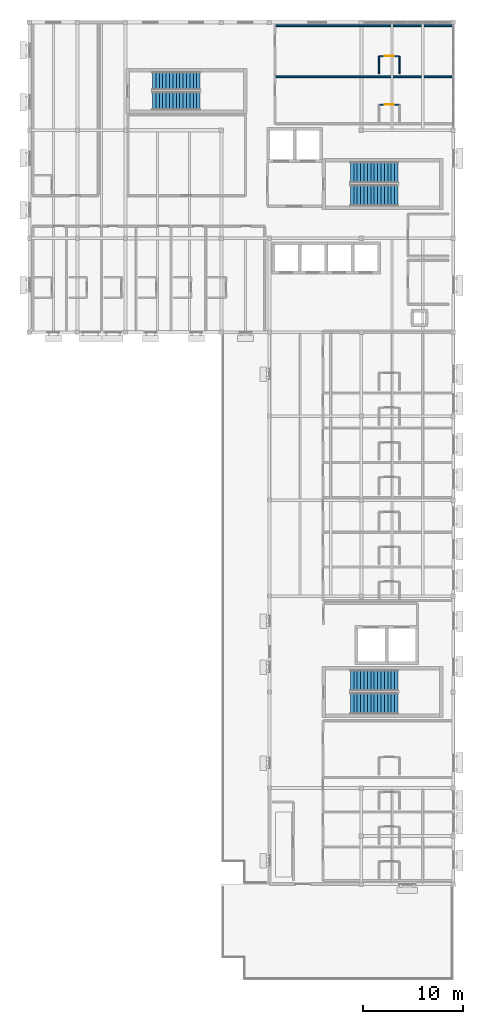
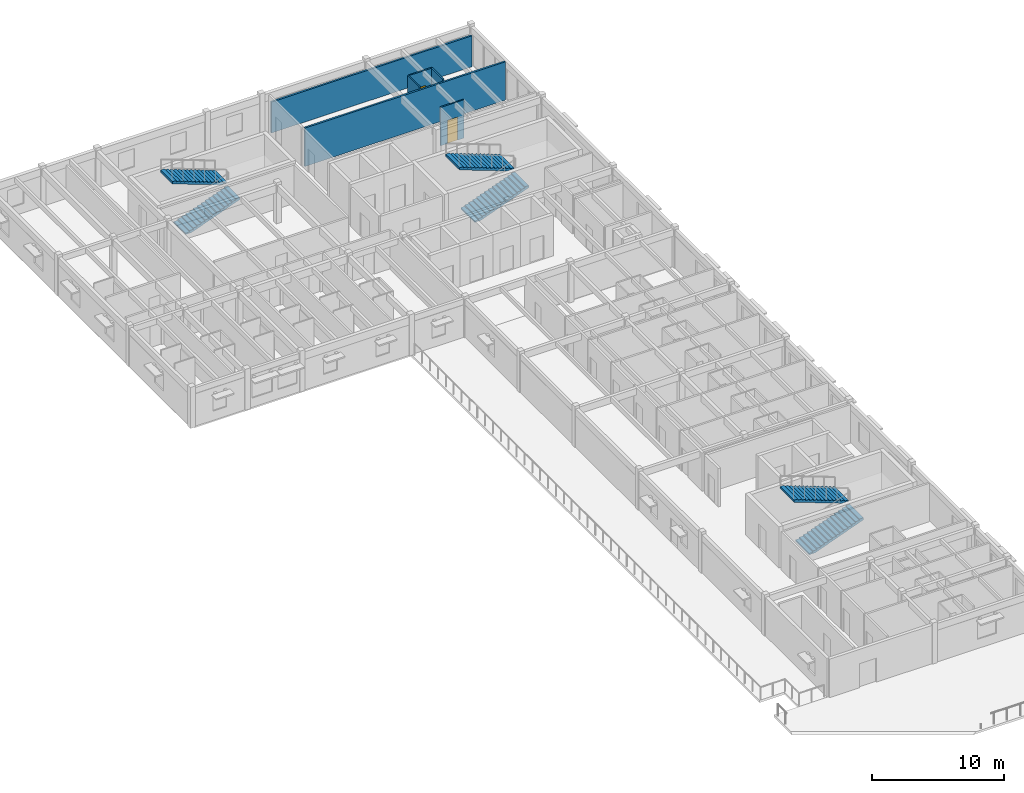
# One storey, part 11 of 18: 6 stair flights, 6 walls, 2 doors, 2 openings, 3 elements without a shape of their own.
"""IFC4 building model written with IfcOpenShell, lengths in metres."""

import ifcopenshell
import ifcopenshell.guid

model = None  # the IFC model being written
_history = None  # IfcOwnerHistory: only IFC2X3 demands one
_inside = {}  # id of a spatial element -> (the spatial element, [elements in it])
_under = {}  # id of a project, library or spatial element -> (it, [spatial elements below it])
_declared = {}  # id of a project -> (the project, [libraries it declares])
_typed = {}  # id of a type object -> (the type object, [elements of that type])
_made_of = {}  # id of a material, layer set ... -> (it, [elements and type objects made of it])


def new_model(schema):
    """Start an empty IFC model of exactly this schema.

    Asked for "IFC4X3", IfcOpenShell would pick the latest addendum, in which some entities
    have other attributes; the version numbers below select the first issue.
    IFC2X3 requires an IfcOwnerHistory on every rooted entity: one is made here for all.
    """
    global model, _history
    if schema == "IFC4X3":
        model = ifcopenshell.file(schema_version=(4, 3, 0, 0))
    else:
        model = ifcopenshell.file(schema=schema)
    _inside.clear()
    _under.clear()
    _declared.clear()
    _typed.clear()
    _made_of.clear()
    _history = None
    if model.schema == "IFC2X3":
        org = make("IfcOrganization", Name="unknown")
        user = make(
            "IfcPersonAndOrganization",
            ThePerson=make("IfcPerson", FamilyName="unknown"),
            TheOrganization=org,
        )
        app = make(
            "IfcApplication",
            ApplicationDeveloper=org,
            Version="unknown",
            ApplicationFullName="unknown",
            ApplicationIdentifier="unknown",
        )
        _history = make(
            "IfcOwnerHistory",
            OwningUser=user,
            OwningApplication=app,
            ChangeAction="ADDED",
            CreationDate=0,
        )
    return model


def make(cls, **values):
    """One entity of the class cls with the attributes given. An attribute that is None is left unset."""
    return model.create_entity(
        cls, **{name: value for name, value in values.items() if value is not None}
    )


def rooted(cls, **values):
    """An entity with a GlobalId (a new one), such as an element, a storey or a relation."""
    return make(cls, GlobalId=ifcopenshell.guid.new(), OwnerHistory=_history, **values)


def si_unit(unit_type, name, prefix=None):
    """IfcSIUnit, for example si_unit("LENGTHUNIT", "METRE", prefix="MILLI")."""
    return make("IfcSIUnit", UnitType=unit_type, Prefix=prefix, Name=name)


def assignment(units):
    """IfcUnitAssignment: the units of a project."""
    return None if units is None else make("IfcUnitAssignment", Units=units)


def point(xyz):
    """IfcCartesianPoint."""
    return None if xyz is None else make("IfcCartesianPoint", Coordinates=xyz)


def direction(xyz):
    """IfcDirection."""
    return None if xyz is None else make("IfcDirection", DirectionRatios=xyz)


def frame(location, z_axis=None, x_axis=None):
    """IfcAxis2Placement3D, a coordinate frame: its origin and axes. An axis left out is left unset."""
    return make(
        "IfcAxis2Placement3D",
        Location=point(location),
        Axis=direction(z_axis),
        RefDirection=direction(x_axis),
    )


def frame_2d(location, x_axis=None):
    """IfcAxis2Placement2D, a coordinate frame in the plane: its origin and x axis."""
    return make(
        "IfcAxis2Placement2D", Location=point(location), RefDirection=direction(x_axis)
    )


def origin():
    """The frame at (0, 0, 0) with its axes left unset."""
    return frame((0.0, 0.0, 0.0))


def place(relative_to, where):
    """IfcLocalPlacement: puts the frame where relative to a parent placement (None: the world)."""
    return make(
        "IfcLocalPlacement", PlacementRelTo=relative_to, RelativePlacement=where
    )


def context(
    kind, dimensions, precision=None, world=None, true_north=None, identifier=None
):
    """IfcGeometricRepresentationContext, for example the 3D "Model" context."""
    return make(
        "IfcGeometricRepresentationContext",
        ContextIdentifier=identifier,
        ContextType=kind,
        CoordinateSpaceDimension=dimensions,
        Precision=precision,
        WorldCoordinateSystem=world,
        TrueNorth=true_north,
    )


def subcontext(parent, identifier, kind, view, scale=None):
    """IfcGeometricRepresentationSubContext, for example "Body" below "Model"."""
    return make(
        "IfcGeometricRepresentationSubContext",
        ContextIdentifier=identifier,
        ContextType=kind,
        ParentContext=parent,
        TargetScale=scale,
        TargetView=view,
    )


def project(units=None, contexts=None):
    """IfcProject with its units and contexts."""
    return rooted(
        "IfcProject",
        Name="project",
        RepresentationContexts=contexts,
        UnitsInContext=assignment(units),
    )


def spatial(cls, under=None, at=None, **own):
    """A site, building, storey or space (cls), placed at a placement, below another one or the project."""
    s = rooted(cls, ObjectPlacement=at, **own)
    if under is not None:
        _under.setdefault(under.id(), (under, []))[1].append(s)
    return s


def polyline(points):
    """IfcPolyline through the points."""
    return make("IfcPolyline", Points=[point(p) for p in points])


def profile(cls, at=None, kind="AREA", **sizes):
    """A parametric profile (cls). Its sizes go by their IFC names, for example OverallWidth=200.0."""
    return make(cls, ProfileType=kind, Position=at, **sizes)


def rectangle(**sizes):
    """IfcRectangleProfileDef."""
    return profile("IfcRectangleProfileDef", **sizes)


def outline(outer, holes=None, kind="AREA"):
    """IfcArbitraryClosedProfileDef: a profile drawn as a closed curve; with holes, ...WithVoids."""
    if holes is None:
        return make("IfcArbitraryClosedProfileDef", ProfileType=kind, OuterCurve=outer)
    return make(
        "IfcArbitraryProfileDefWithVoids",
        ProfileType=kind,
        OuterCurve=outer,
        InnerCurves=holes,
    )


def extrude(swept, where, along, depth):
    """IfcExtrudedAreaSolid: the profile swept, set in the frame where, extruded along a direction by depth."""
    return make(
        "IfcExtrudedAreaSolid",
        SweptArea=swept,
        Position=where,
        ExtrudedDirection=direction(along),
        Depth=depth,
    )


def shape(context_of_items, identifier, shape_type, items):
    """IfcShapeRepresentation: the items that make up one representation, for example the "Body"."""
    return make(
        "IfcShapeRepresentation",
        ContextOfItems=context_of_items,
        RepresentationIdentifier=identifier,
        RepresentationType=shape_type,
        Items=items,
    )


def material(Name=None, Category=None):
    """IfcMaterial."""
    return make("IfcMaterial", Name=Name, Category=Category)


def layer(
    of_material, thickness, ventilated=None, Name=None, Category=None, Priority=None
):
    """IfcMaterialLayer: one layer of a wall or slab, of a material (None: an air gap)."""
    return make(
        "IfcMaterialLayer",
        Material=of_material,
        LayerThickness=thickness,
        IsVentilated=ventilated,
        Name=Name,
        Category=Category,
        Priority=Priority,
    )


def layer_set(layers, Name=None):
    """IfcMaterialLayerSet."""
    return make("IfcMaterialLayerSet", MaterialLayers=layers, LayerSetName=Name)


def made_of(thing, what):
    """Note that an element or type object is made of a material, layer set ...; save() writes the relation."""
    if what is not None:
        _made_of.setdefault(what.id(), (what, []))[1].append(thing)
    return thing


def type_object(cls, material=None, **own):
    """A type object (cls), such as IfcWallType, which elements share."""
    return made_of(rooted(cls, **own), material)


def element(
    cls,
    number,
    at=None,
    inside=None,
    cuts=None,
    type_object=None,
    material=None,
    context=None,
    identifier="Body",
    shape_type=None,
    held_by="IfcProductDefinitionShape",
    body=None,
    shapes=None,
    **own,
):
    """One element of the class cls, such as IfcWall. Its Tag is "e" and its number.

    at: its placement. inside: the storey or other place that contains it. cuts: it is an
    opening in that element (IfcRelVoidsElement). A single representation is given by context,
    identifier, shape_type and body (its items); several are given by shapes. held_by: the class
    of the entity that holds the representations. save() writes the other relations.
    """
    e = rooted(cls, Tag="e%d" % number, ObjectPlacement=at, **own)
    if body is not None:
        shapes = [shape(context, identifier, shape_type, body)]
    if shapes is not None:
        e.Representation = make(held_by, Representations=shapes)
    if inside is not None:
        _inside.setdefault(inside.id(), (inside, []))[1].append(e)
    if cuts is not None:
        rooted(
            "IfcRelVoidsElement", RelatingBuildingElement=cuts, RelatedOpeningElement=e
        )
    if type_object is not None:
        _typed.setdefault(type_object.id(), (type_object, []))[1].append(e)
    return made_of(e, material)


def fill(opening, filler):
    """IfcRelFillsElement: the door or window that sits in an opening."""
    return rooted(
        "IfcRelFillsElement",
        RelatingOpeningElement=opening,
        RelatedBuildingElement=filler,
    )


def aggregate(whole, parts):
    """IfcRelAggregates: a whole, such as a stair, and the parts it consists of."""
    return rooted("IfcRelAggregates", RelatingObject=whole, RelatedObjects=parts)


def save(model, path):
    """Write the relations noted so far, then the file.

    IfcRelAggregates (storeys below a building ...), IfcRelContainedInSpatialStructure (elements
    in a storey), IfcRelDefinesByType, IfcRelAssociatesMaterial and IfcRelDeclares: one each for
    every whole, place, type object, material and project.
    """
    for whole, parts in _under.values():
        aggregate(whole, parts)
    for where, things in _inside.values():
        rooted(
            "IfcRelContainedInSpatialStructure",
            RelatedElements=things,
            RelatingStructure=where,
        )
    for kind, things in _typed.values():
        rooted("IfcRelDefinesByType", RelatedObjects=things, RelatingType=kind)
    for what, things in _made_of.values():
        rooted("IfcRelAssociatesMaterial", RelatedObjects=things, RelatingMaterial=what)
    for by, libraries in _declared.values():
        rooted("IfcRelDeclares", RelatingContext=by, RelatedDefinitions=libraries)
    model.write(path)


model = new_model("IFC4")

# Units and contexts
model_context = context("Model", 3, precision=1e-05, world=origin(), true_north=direction((0.0, 1.0)))
body_context = subcontext(model_context, "Body", "Model", "MODEL_VIEW")
ifc_project = project(units=[si_unit("LENGTHUNIT", "METRE"), si_unit("AREAUNIT", "SQUARE_METRE"), si_unit("VOLUMEUNIT", "CUBIC_METRE"), si_unit("PLANEANGLEUNIT", "RADIAN"), si_unit("MASSUNIT", "GRAM", prefix="KILO")], contexts=[model_context])

# Site, building, storey
site_placement = place(None, origin())
site = spatial("IfcSite", under=ifc_project, at=site_placement, CompositionType="ELEMENT")
building_placement = place(site_placement, origin())
building = spatial("IfcBuilding", under=site, at=building_placement, Name="Veldera Park Congress Hotel", CompositionType="ELEMENT")
storey_placement = place(building_placement, frame((0.0, 0.0, 31.39990234375)))
storey = spatial("IfcBuildingStorey", under=building, at=storey_placement, Name="L07", CompositionType="ELEMENT", Elevation=31.39990234375)

# Wall, opening, door
ifc_material_1 = material(Name="Fire-Rated Gypsum Board on Cold-Formed Steel Studs", Category="steel")
ifc_layer_1 = layer(ifc_material_1, 0.1201171875)
ifc_layer_set_1 = layer_set([ifc_layer_1], Name="Fire-Rated Gypsum Board on Cold-Formed Steel Studs")
wall_type_1 = type_object("IfcWallType", Name="IW-BATH120", PredefinedType="PARTITIONING", material=ifc_layer_set_1)
wall_1_placement = place(storey_placement, frame((76.550048828125, 49.75, 0.0), z_axis=(0.0, 0.0, 1.0), x_axis=(1.0, 0.0, 0.0)))
wall_1 = element("IfcWall", 1, at=wall_1_placement, inside=storey, type_object=wall_type_1, Name="L07 Partition Wall IW3-L07-01467", PredefinedType="PARTITIONING", context=body_context, shape_type="SweptSolid", body=[
    extrude(rectangle(XDim=2.050048828125, YDim=0.1201171875, at=frame_2d((1.02490234375, 0.0))), origin(), (0.0, 0.0, 1.0), 3.55517578125),
])
opening_1_placement = place(wall_1_placement, frame((0.574951171875, 0.0, 0.0)))
opening_1 = element("IfcOpeningElement", 2, at=opening_1_placement, cuts=wall_1, Name="Opening ID-BATH090", PredefinedType="OPENING", context=body_context, shape_type="SweptSolid", body=[
    extrude(rectangle(XDim=0.89990234375, YDim=2.14990234375, at=frame_2d((0.449951171875, 1.074951171875))), frame((0.0, 0.072021484375, 0.0), z_axis=(0.0, -1.0, 0.0), x_axis=(1.0, 0.0, 0.0)), (0.0, 0.0, 1.0), 0.14404296875),
])
ifc_material_2 = material(Name="Solid Core White Oak Architectural Door", Category="wood")
door_type = type_object("IfcDoorType", Name="ID-BATH090", OperationType="NOTDEFINED", PredefinedType="DOOR", material=ifc_material_2)
door_1_placement = place(opening_1_placement, origin())
door_1 = element("IfcDoor", 3, at=door_1_placement, inside=storey, type_object=door_type, Name="L07 En-suite 234 Door ID3-L07-0607 (DR3-ID3-L07-0607)", OperationType="SINGLE_SWING_LEFT", OverallHeight=2.14990234375, OverallWidth=0.89990234375, PredefinedType="DOOR", context=body_context, shape_type="SweptSolid", body=[
    extrude(rectangle(XDim=0.89990234375, YDim=2.14990234375, at=frame_2d((0.449951171875, 1.074951171875))), frame((0.0, 0.02490234375, 0.0), z_axis=(0.0, -1.0, 0.0), x_axis=(1.0, 0.0, 0.0)), (0.0, 0.0, 1.0), 0.050048828125),
])
fill(opening_1, door_1)

# Walls
for number, where, z_axis, x_axis, name in (
    (4, (76.550048828125, 52.85009765625, 0.0), (0.0, 0.0, 1.0), (0.0, 1.0, 0.0), "L07 Partition Wall IW3-L07-01470"),
    (5, (78.60009765625, 52.85009765625, 0.0), (0.0, 0.0, 1.0), (0.0, 1.0, 0.0), "L07 Partition Wall IW3-L07-01471"),
):
    element("IfcWall", number, at=place(storey_placement, frame(where, z_axis=z_axis, x_axis=x_axis)), inside=storey, type_object=wall_type_1, Name=name, PredefinedType="PARTITIONING", context=body_context, shape_type="SweptSolid", body=[
        extrude(rectangle(XDim=1.75, YDim=0.1201171875, at=frame_2d((0.875, 0.0))), origin(), (0.0, 0.0, 1.0), 3.55517578125),
    ])

# Wall, opening, door
wall_2_placement = place(storey_placement, frame((76.550048828125, 54.60009765625, 0.0), z_axis=(0.0, 0.0, 1.0), x_axis=(1.0, 0.0, 0.0)))
wall_2 = element("IfcWall", 6, at=wall_2_placement, inside=storey, type_object=wall_type_1, Name="L07 Partition Wall IW3-L07-01472", PredefinedType="PARTITIONING", context=body_context, shape_type="SweptSolid", body=[
    extrude(rectangle(XDim=2.050048828125, YDim=0.1201171875, at=frame_2d((1.02490234375, 0.0))), origin(), (0.0, 0.0, 1.0), 3.55517578125),
])
opening_2_placement = place(wall_2_placement, frame((0.574951171875, 0.0, 0.0)))
opening_2 = element("IfcOpeningElement", 7, at=opening_2_placement, cuts=wall_2, Name="Opening ID-BATH090", PredefinedType="OPENING", context=body_context, shape_type="SweptSolid", body=[
    extrude(rectangle(XDim=0.89990234375, YDim=2.14990234375, at=frame_2d((0.449951171875, 1.074951171875))), frame((0.0, 0.072021484375, 0.0), z_axis=(0.0, -1.0, 0.0), x_axis=(1.0, 0.0, 0.0)), (0.0, 0.0, 1.0), 0.14404296875),
])
door_2_placement = place(opening_2_placement, origin())
door_2 = element("IfcDoor", 8, at=door_2_placement, inside=storey, type_object=door_type, Name="L07 En-suite 235 Door ID3-L07-0609 (DR3-ID3-L07-0609)", OperationType="SINGLE_SWING_LEFT", OverallHeight=2.14990234375, OverallWidth=0.89990234375, PredefinedType="DOOR", context=body_context, shape_type="SweptSolid", body=[
    extrude(rectangle(XDim=0.89990234375, YDim=2.14990234375, at=frame_2d((0.449951171875, 1.074951171875))), frame((0.0, 0.02490234375, 0.0), z_axis=(0.0, -1.0, 0.0), x_axis=(1.0, 0.0, 0.0)), (0.0, 0.0, 1.0), 0.050048828125),
])
fill(opening_2, door_2)

# Walls
ifc_material_3 = material(Name="Cross-laminated timber CLT V2M1.1", Category="wood")
ifc_layer_2 = layer(ifc_material_3, 0.159912109375)
ifc_layer_set_2 = layer_set([ifc_layer_2], Name="Cross-laminated timber CLT V2M1.1")
wall_type_2 = type_object("IfcWallType", Name="IW-UNIT160", PredefinedType="PARTITIONING", material=ifc_layer_set_2)
wall_3_placement = place(storey_placement, frame((66.25, 52.550048828125, 0.0), z_axis=(0.0, 0.0, 1.0), x_axis=(1.0, 0.0, 0.0)))
element("IfcWall", 9, at=wall_3_placement, inside=storey, type_object=wall_type_2, Name="L07 Partition Wall IW3-L07-01464", PredefinedType="PARTITIONING", context=body_context, shape_type="SweptSolid", body=[
    extrude(rectangle(XDim=17.590087890625, YDim=0.159912109375, at=frame_2d((8.794921875, 0.0))), origin(), (0.0, 0.0, 1.0), 3.55517578125),
])
wall_4_placement = place(storey_placement, frame((66.25, 57.64990234375, 0.0), z_axis=(0.0, 0.0, 1.0), x_axis=(1.0, 0.0, 0.0)))
element("IfcWall", 10, at=wall_4_placement, inside=storey, type_object=wall_type_2, Name="L07 Partition Wall IW3-L07-01469", PredefinedType="PARTITIONING", context=body_context, shape_type="SweptSolid", body=[
    extrude(rectangle(XDim=17.590087890625, YDim=0.159912109375, at=frame_2d((8.794921875, 0.0))), origin(), (0.0, 0.0, 1.0), 2.8701171875),
])

# Stair, stair flights
ifc_material_4 = material(Name="Concrete f'c 40 MPa (5,800 psi)", Category="concrete")
stair_type_1 = type_object("IfcStairType", Name="ST1", PredefinedType="HALF_TURN_STAIR", material=ifc_material_4)
stair_1_placement = place(storey_placement, origin())
stair_1 = element("IfcStair", 11, at=stair_1_placement, inside=storey, type_object=stair_type_1, Name="L07 Protected Exit Stair ST1", PredefinedType="HALF_TURN_STAIR")
stair_flight_type_1 = type_object("IfcStairFlightType", Name="SFL-ST1", PredefinedType="STRAIGHT", material=ifc_material_4)
stair_flight_1_placement = place(storey_placement, frame((73.699951171875, 40.64990234375, 0.0), z_axis=(0.0, 0.0, 1.0), x_axis=(1.0, 0.0, 0.0)))
stair_flight_1 = element("IfcStairFlight", 12, at=stair_flight_1_placement, type_object=stair_flight_type_1, Name="ST1 flight 1", NumberOfRisers=15, NumberOfTreads=14, PredefinedType="STRAIGHT", RiserHeight=0.126666667, TreadLength=0.34, context=body_context, shape_type="SweptSolid", body=[
    extrude(outline(polyline([(0.0, 0.0), (0.0, 0.126708984375), (0.340087890625, 0.126708984375), (0.340087890625, 0.25341796875), (0.679931640625, 0.25341796875), (0.679931640625, 0.3798828125), (1.02001953125, 0.3798828125), (1.02001953125, 0.506591796875), (1.360107421875, 0.506591796875), (1.360107421875, 0.63330078125), (1.699951171875, 0.63330078125), (1.699951171875, 0.760009765625), (2.0400390625, 0.760009765625), (2.0400390625, 0.88671875), (2.3798828125, 0.88671875), (2.3798828125, 1.013427734375), (2.719970703125, 1.013427734375), (2.719970703125, 1.139892578125), (3.06005859375, 1.139892578125), (3.06005859375, 1.2666015625), (3.39990234375, 1.2666015625), (3.39990234375, 1.393310546875), (3.739990234375, 1.393310546875), (3.739990234375, 1.52001953125), (4.080078125, 1.52001953125), (4.080078125, 1.646728515625), (4.419921875, 1.646728515625), (4.419921875, 1.7734375), (4.760009765625, 1.7734375), (4.760009765625, 1.89990234375), (4.760009765625, 1.89990234375), (4.760009765625, 1.581298828125), (0.515380859375, 0.0), (0.0, 0.0)])), frame((0.0, 1.050048828125, 0.0), z_axis=(0.0, -1.0, 0.0), x_axis=(1.0, 0.0, 0.0)), (0.0, 0.0, 1.0), 2.10009765625),
])
stair_flight_2_placement = place(storey_placement, frame((78.4599609375, 42.949951171875, 1.900146484375), z_axis=(0.0, 0.0, 1.0), x_axis=(-1.0, 0.0, 0.0)))
stair_flight_2 = element("IfcStairFlight", 13, at=stair_flight_2_placement, type_object=stair_flight_type_1, Name="ST1 flight 2", NumberOfRisers=15, NumberOfTreads=14, PredefinedType="STRAIGHT", RiserHeight=0.126666667, TreadLength=0.34, context=body_context, shape_type="SweptSolid", body=[
    extrude(outline(polyline([(0.0, 0.0), (0.0, 0.126708984375), (0.340087890625, 0.126708984375), (0.340087890625, 0.25341796875), (0.679931640625, 0.25341796875), (0.679931640625, 0.3798828125), (1.02001953125, 0.3798828125), (1.02001953125, 0.506591796875), (1.360107421875, 0.506591796875), (1.360107421875, 0.63330078125), (1.699951171875, 0.63330078125), (1.699951171875, 0.760009765625), (2.0400390625, 0.760009765625), (2.0400390625, 0.88671875), (2.3798828125, 0.88671875), (2.3798828125, 1.013427734375), (2.719970703125, 1.013427734375), (2.719970703125, 1.139892578125), (3.06005859375, 1.139892578125), (3.06005859375, 1.2666015625), (3.39990234375, 1.2666015625), (3.39990234375, 1.393310546875), (3.739990234375, 1.393310546875), (3.739990234375, 1.52001953125), (4.080078125, 1.52001953125), (4.080078125, 1.646728515625), (4.419921875, 1.646728515625), (4.419921875, 1.7734375), (4.760009765625, 1.7734375), (4.760009765625, 1.89990234375), (4.760009765625, 1.89990234375), (4.760009765625, 1.581298828125), (0.515380859375, 0.0), (0.0, 0.0)])), frame((0.0, 1.050048828125, 0.0), z_axis=(0.0, -1.0, 0.0), x_axis=(1.0, 0.0, 0.0)), (0.0, 0.0, 1.0), 2.10009765625),
])
aggregate(stair_1, [stair_flight_1, stair_flight_2])

stair_type_2 = type_object("IfcStairType", Name="ST2", PredefinedType="HALF_TURN_STAIR", material=ifc_material_4)
stair_2_placement = place(storey_placement, origin())
stair_2 = element("IfcStair", 14, at=stair_2_placement, inside=storey, type_object=stair_type_2, Name="L07 Protected Exit Stair ST2", PredefinedType="HALF_TURN_STAIR")
stair_flight_type_2 = type_object("IfcStairFlightType", Name="SFL-ST2", PredefinedType="STRAIGHT", material=ifc_material_4)
stair_flight_3_placement = place(storey_placement, frame((73.699951171875, -10.14990234375, 0.0), z_axis=(0.0, 0.0, 1.0), x_axis=(1.0, 0.0, 0.0)))
stair_flight_3 = element("IfcStairFlight", 15, at=stair_flight_3_placement, type_object=stair_flight_type_2, Name="ST2 flight 1", NumberOfRisers=15, NumberOfTreads=14, PredefinedType="STRAIGHT", RiserHeight=0.126666667, TreadLength=0.34, context=body_context, shape_type="SweptSolid", body=[
    extrude(outline(polyline([(0.0, 0.0), (0.0, 0.126708984375), (0.340087890625, 0.126708984375), (0.340087890625, 0.25341796875), (0.679931640625, 0.25341796875), (0.679931640625, 0.3798828125), (1.02001953125, 0.3798828125), (1.02001953125, 0.506591796875), (1.360107421875, 0.506591796875), (1.360107421875, 0.63330078125), (1.699951171875, 0.63330078125), (1.699951171875, 0.760009765625), (2.0400390625, 0.760009765625), (2.0400390625, 0.88671875), (2.3798828125, 0.88671875), (2.3798828125, 1.013427734375), (2.719970703125, 1.013427734375), (2.719970703125, 1.139892578125), (3.06005859375, 1.139892578125), (3.06005859375, 1.2666015625), (3.39990234375, 1.2666015625), (3.39990234375, 1.393310546875), (3.739990234375, 1.393310546875), (3.739990234375, 1.52001953125), (4.080078125, 1.52001953125), (4.080078125, 1.646728515625), (4.419921875, 1.646728515625), (4.419921875, 1.7734375), (4.760009765625, 1.7734375), (4.760009765625, 1.89990234375), (4.760009765625, 1.89990234375), (4.760009765625, 1.581298828125), (0.515380859375, 0.0), (0.0, 0.0)])), frame((0.0, 1.050048828125, 0.0), z_axis=(0.0, -1.0, 0.0), x_axis=(1.0, 0.0, 0.0)), (0.0, 0.0, 1.0), 2.10009765625),
])
stair_flight_4_placement = place(storey_placement, frame((78.4599609375, -7.85009765625, 1.900146484375), z_axis=(0.0, 0.0, 1.0), x_axis=(-1.0, 0.0, 0.0)))
stair_flight_4 = element("IfcStairFlight", 16, at=stair_flight_4_placement, type_object=stair_flight_type_2, Name="ST2 flight 2", NumberOfRisers=15, NumberOfTreads=14, PredefinedType="STRAIGHT", RiserHeight=0.126666667, TreadLength=0.34, context=body_context, shape_type="SweptSolid", body=[
    extrude(outline(polyline([(0.0, 0.0), (0.0, 0.126708984375), (0.340087890625, 0.126708984375), (0.340087890625, 0.25341796875), (0.679931640625, 0.25341796875), (0.679931640625, 0.3798828125), (1.02001953125, 0.3798828125), (1.02001953125, 0.506591796875), (1.360107421875, 0.506591796875), (1.360107421875, 0.63330078125), (1.699951171875, 0.63330078125), (1.699951171875, 0.760009765625), (2.0400390625, 0.760009765625), (2.0400390625, 0.88671875), (2.3798828125, 0.88671875), (2.3798828125, 1.013427734375), (2.719970703125, 1.013427734375), (2.719970703125, 1.139892578125), (3.06005859375, 1.139892578125), (3.06005859375, 1.2666015625), (3.39990234375, 1.2666015625), (3.39990234375, 1.393310546875), (3.739990234375, 1.393310546875), (3.739990234375, 1.52001953125), (4.080078125, 1.52001953125), (4.080078125, 1.646728515625), (4.419921875, 1.646728515625), (4.419921875, 1.7734375), (4.760009765625, 1.7734375), (4.760009765625, 1.89990234375), (4.760009765625, 1.89990234375), (4.760009765625, 1.581298828125), (0.515380859375, 0.0), (0.0, 0.0)])), frame((0.0, 1.050048828125, 0.0), z_axis=(0.0, -1.0, 0.0), x_axis=(1.0, 0.0, 0.0)), (0.0, 0.0, 1.0), 2.10009765625),
])
aggregate(stair_2, [stair_flight_3, stair_flight_4])

stair_type_3 = type_object("IfcStairType", Name="ST3", PredefinedType="HALF_TURN_STAIR", material=ifc_material_4)
stair_3_placement = place(storey_placement, origin())
stair_3 = element("IfcStair", 17, at=stair_3_placement, inside=storey, type_object=stair_type_3, Name="L07 Protected Exit Stair ST3", PredefinedType="HALF_TURN_STAIR")
stair_flight_type_3 = type_object("IfcStairFlightType", Name="SFL-ST3", PredefinedType="STRAIGHT", material=ifc_material_4)
stair_flight_5_placement = place(storey_placement, frame((53.89990234375, 50.10009765625, 0.0), z_axis=(0.0, 0.0, 1.0), x_axis=(1.0, 0.0, 0.0)))
stair_flight_5 = element("IfcStairFlight", 18, at=stair_flight_5_placement, type_object=stair_flight_type_3, Name="ST3 flight 1", NumberOfRisers=15, NumberOfTreads=14, PredefinedType="STRAIGHT", RiserHeight=0.126666667, TreadLength=0.34, context=body_context, shape_type="SweptSolid", body=[
    extrude(outline(polyline([(0.0, 0.0), (0.0, 0.126708984375), (0.340087890625, 0.126708984375), (0.340087890625, 0.25341796875), (0.679931640625, 0.25341796875), (0.679931640625, 0.3798828125), (1.02001953125, 0.3798828125), (1.02001953125, 0.506591796875), (1.360107421875, 0.506591796875), (1.360107421875, 0.63330078125), (1.699951171875, 0.63330078125), (1.699951171875, 0.760009765625), (2.0400390625, 0.760009765625), (2.0400390625, 0.88671875), (2.3798828125, 0.88671875), (2.3798828125, 1.013427734375), (2.719970703125, 1.013427734375), (2.719970703125, 1.139892578125), (3.06005859375, 1.139892578125), (3.06005859375, 1.2666015625), (3.39990234375, 1.2666015625), (3.39990234375, 1.393310546875), (3.739990234375, 1.393310546875), (3.739990234375, 1.52001953125), (4.080078125, 1.52001953125), (4.080078125, 1.646728515625), (4.419921875, 1.646728515625), (4.419921875, 1.7734375), (4.760009765625, 1.7734375), (4.760009765625, 1.89990234375), (4.760009765625, 1.89990234375), (4.760009765625, 1.581298828125), (0.515380859375, 0.0), (0.0, 0.0)])), frame((0.0, 0.89990234375, 0.0), z_axis=(0.0, -1.0, 0.0), x_axis=(1.0, 0.0, 0.0)), (0.0, 0.0, 1.0), 1.800048828125),
])
stair_flight_6_placement = place(storey_placement, frame((58.659912109375, 52.10009765625, 1.900146484375), z_axis=(0.0, 0.0, 1.0), x_axis=(-1.0, 0.0, 0.0)))
stair_flight_6 = element("IfcStairFlight", 19, at=stair_flight_6_placement, type_object=stair_flight_type_3, Name="ST3 flight 2", NumberOfRisers=15, NumberOfTreads=14, PredefinedType="STRAIGHT", RiserHeight=0.126666667, TreadLength=0.34, context=body_context, shape_type="SweptSolid", body=[
    extrude(outline(polyline([(0.0, 0.0), (0.0, 0.126708984375), (0.340087890625, 0.126708984375), (0.340087890625, 0.25341796875), (0.679931640625, 0.25341796875), (0.679931640625, 0.3798828125), (1.02001953125, 0.3798828125), (1.02001953125, 0.506591796875), (1.360107421875, 0.506591796875), (1.360107421875, 0.63330078125), (1.699951171875, 0.63330078125), (1.699951171875, 0.760009765625), (2.0400390625, 0.760009765625), (2.0400390625, 0.88671875), (2.3798828125, 0.88671875), (2.3798828125, 1.013427734375), (2.719970703125, 1.013427734375), (2.719970703125, 1.139892578125), (3.06005859375, 1.139892578125), (3.06005859375, 1.2666015625), (3.39990234375, 1.2666015625), (3.39990234375, 1.393310546875), (3.739990234375, 1.393310546875), (3.739990234375, 1.52001953125), (4.080078125, 1.52001953125), (4.080078125, 1.646728515625), (4.419921875, 1.646728515625), (4.419921875, 1.7734375), (4.760009765625, 1.7734375), (4.760009765625, 1.89990234375), (4.760009765625, 1.89990234375), (4.760009765625, 1.581298828125), (0.515380859375, 0.0), (0.0, 0.0)])), frame((0.0, 0.89990234375, 0.0), z_axis=(0.0, -1.0, 0.0), x_axis=(1.0, 0.0, 0.0)), (0.0, 0.0, 1.0), 1.800048828125),
])
aggregate(stair_3, [stair_flight_5, stair_flight_6])

save(model, "model.ifc")
